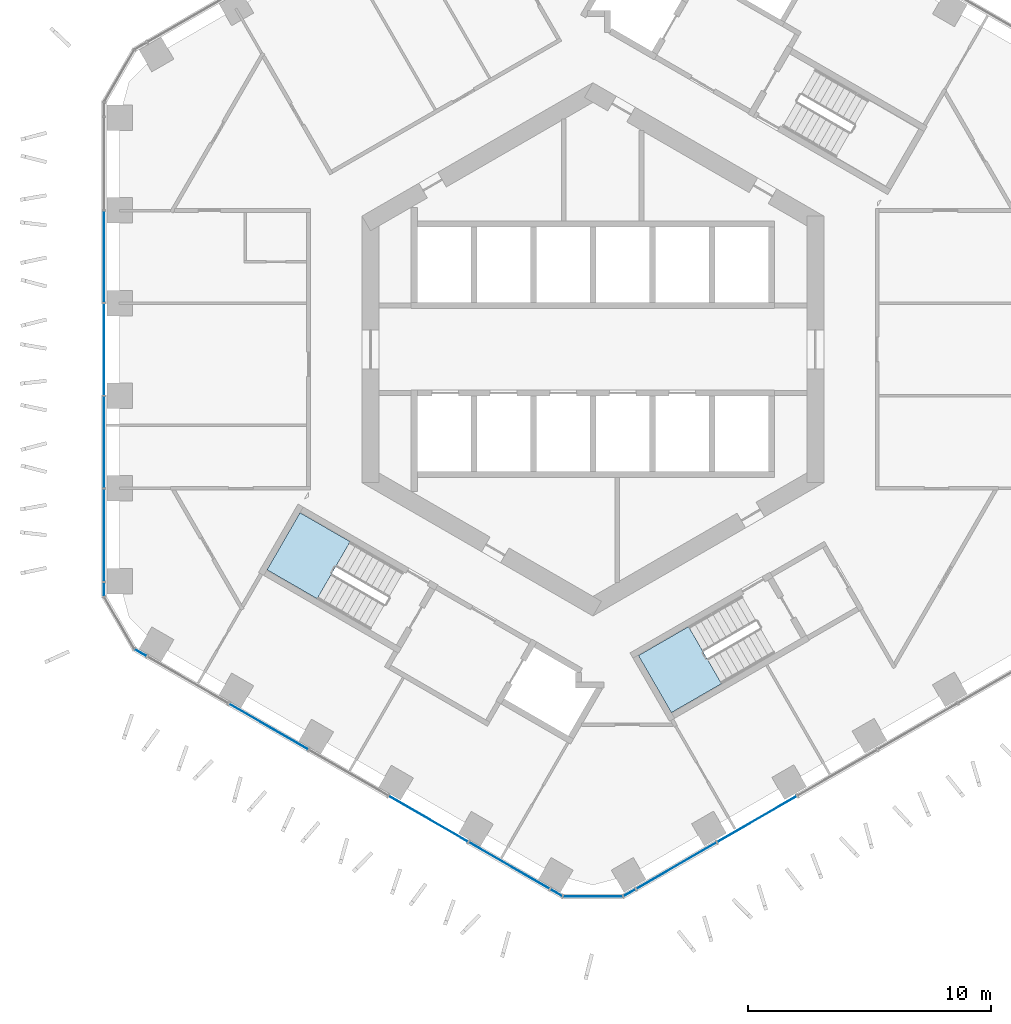
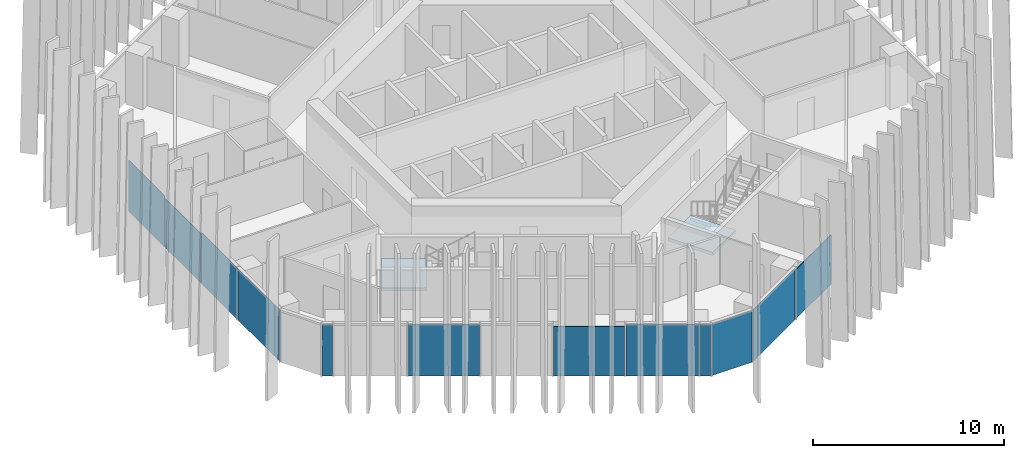
# One storey, part 8 of 18: 14 plates, 2 slabs, 7 elements without a shape of their own.
"""IFC4 building model written with IfcOpenShell, lengths in metres."""

import ifcopenshell
import ifcopenshell.guid

model = None  # the IFC model being written
_history = None  # IfcOwnerHistory: only IFC2X3 demands one
_inside = {}  # id of a spatial element -> (the spatial element, [elements in it])
_under = {}  # id of a project, library or spatial element -> (it, [spatial elements below it])
_declared = {}  # id of a project -> (the project, [libraries it declares])
_typed = {}  # id of a type object -> (the type object, [elements of that type])
_made_of = {}  # id of a material, layer set ... -> (it, [elements and type objects made of it])


def new_model(schema):
    """Start an empty IFC model of exactly this schema.

    Asked for "IFC4X3", IfcOpenShell would pick the latest addendum, in which some entities
    have other attributes; the version numbers below select the first issue.
    IFC2X3 requires an IfcOwnerHistory on every rooted entity: one is made here for all.
    """
    global model, _history
    if schema == "IFC4X3":
        model = ifcopenshell.file(schema_version=(4, 3, 0, 0))
    else:
        model = ifcopenshell.file(schema=schema)
    _inside.clear()
    _under.clear()
    _declared.clear()
    _typed.clear()
    _made_of.clear()
    _history = None
    if model.schema == "IFC2X3":
        org = make("IfcOrganization", Name="unknown")
        user = make(
            "IfcPersonAndOrganization",
            ThePerson=make("IfcPerson", FamilyName="unknown"),
            TheOrganization=org,
        )
        app = make(
            "IfcApplication",
            ApplicationDeveloper=org,
            Version="unknown",
            ApplicationFullName="unknown",
            ApplicationIdentifier="unknown",
        )
        _history = make(
            "IfcOwnerHistory",
            OwningUser=user,
            OwningApplication=app,
            ChangeAction="ADDED",
            CreationDate=0,
        )
    return model


def make(cls, **values):
    """One entity of the class cls with the attributes given. An attribute that is None is left unset."""
    return model.create_entity(
        cls, **{name: value for name, value in values.items() if value is not None}
    )


def rooted(cls, **values):
    """An entity with a GlobalId (a new one), such as an element, a storey or a relation."""
    return make(cls, GlobalId=ifcopenshell.guid.new(), OwnerHistory=_history, **values)


def si_unit(unit_type, name, prefix=None):
    """IfcSIUnit, for example si_unit("LENGTHUNIT", "METRE", prefix="MILLI")."""
    return make("IfcSIUnit", UnitType=unit_type, Prefix=prefix, Name=name)


def assignment(units):
    """IfcUnitAssignment: the units of a project."""
    return None if units is None else make("IfcUnitAssignment", Units=units)


def point(xyz):
    """IfcCartesianPoint."""
    return None if xyz is None else make("IfcCartesianPoint", Coordinates=xyz)


def direction(xyz):
    """IfcDirection."""
    return None if xyz is None else make("IfcDirection", DirectionRatios=xyz)


def frame(location, z_axis=None, x_axis=None):
    """IfcAxis2Placement3D, a coordinate frame: its origin and axes. An axis left out is left unset."""
    return make(
        "IfcAxis2Placement3D",
        Location=point(location),
        Axis=direction(z_axis),
        RefDirection=direction(x_axis),
    )


def frame_2d(location, x_axis=None):
    """IfcAxis2Placement2D, a coordinate frame in the plane: its origin and x axis."""
    return make(
        "IfcAxis2Placement2D", Location=point(location), RefDirection=direction(x_axis)
    )


def origin():
    """The frame at (0, 0, 0) with its axes left unset."""
    return frame((0.0, 0.0, 0.0))


def origin_2d():
    """The frame at (0, 0) in the plane with its x axis left unset."""
    return frame_2d((0.0, 0.0))


def place(relative_to, where):
    """IfcLocalPlacement: puts the frame where relative to a parent placement (None: the world)."""
    return make(
        "IfcLocalPlacement", PlacementRelTo=relative_to, RelativePlacement=where
    )


def context(
    kind, dimensions, precision=None, world=None, true_north=None, identifier=None
):
    """IfcGeometricRepresentationContext, for example the 3D "Model" context."""
    return make(
        "IfcGeometricRepresentationContext",
        ContextIdentifier=identifier,
        ContextType=kind,
        CoordinateSpaceDimension=dimensions,
        Precision=precision,
        WorldCoordinateSystem=world,
        TrueNorth=true_north,
    )


def subcontext(parent, identifier, kind, view, scale=None):
    """IfcGeometricRepresentationSubContext, for example "Body" below "Model"."""
    return make(
        "IfcGeometricRepresentationSubContext",
        ContextIdentifier=identifier,
        ContextType=kind,
        ParentContext=parent,
        TargetScale=scale,
        TargetView=view,
    )


def project(units=None, contexts=None):
    """IfcProject with its units and contexts."""
    return rooted(
        "IfcProject",
        Name="project",
        RepresentationContexts=contexts,
        UnitsInContext=assignment(units),
    )


def spatial(cls, under=None, at=None, **own):
    """A site, building, storey or space (cls), placed at a placement, below another one or the project."""
    s = rooted(cls, ObjectPlacement=at, **own)
    if under is not None:
        _under.setdefault(under.id(), (under, []))[1].append(s)
    return s


def polyline(points):
    """IfcPolyline through the points."""
    return make("IfcPolyline", Points=[point(p) for p in points])


def profile(cls, at=None, kind="AREA", **sizes):
    """A parametric profile (cls). Its sizes go by their IFC names, for example OverallWidth=200.0."""
    return make(cls, ProfileType=kind, Position=at, **sizes)


def rectangle(**sizes):
    """IfcRectangleProfileDef."""
    return profile("IfcRectangleProfileDef", **sizes)


def outline(outer, holes=None, kind="AREA"):
    """IfcArbitraryClosedProfileDef: a profile drawn as a closed curve; with holes, ...WithVoids."""
    if holes is None:
        return make("IfcArbitraryClosedProfileDef", ProfileType=kind, OuterCurve=outer)
    return make(
        "IfcArbitraryProfileDefWithVoids",
        ProfileType=kind,
        OuterCurve=outer,
        InnerCurves=holes,
    )


def extrude(swept, where, along, depth):
    """IfcExtrudedAreaSolid: the profile swept, set in the frame where, extruded along a direction by depth."""
    return make(
        "IfcExtrudedAreaSolid",
        SweptArea=swept,
        Position=where,
        ExtrudedDirection=direction(along),
        Depth=depth,
    )


def shape(context_of_items, identifier, shape_type, items):
    """IfcShapeRepresentation: the items that make up one representation, for example the "Body"."""
    return make(
        "IfcShapeRepresentation",
        ContextOfItems=context_of_items,
        RepresentationIdentifier=identifier,
        RepresentationType=shape_type,
        Items=items,
    )


def material(Name=None, Category=None):
    """IfcMaterial."""
    return make("IfcMaterial", Name=Name, Category=Category)


def layer(
    of_material, thickness, ventilated=None, Name=None, Category=None, Priority=None
):
    """IfcMaterialLayer: one layer of a wall or slab, of a material (None: an air gap)."""
    return make(
        "IfcMaterialLayer",
        Material=of_material,
        LayerThickness=thickness,
        IsVentilated=ventilated,
        Name=Name,
        Category=Category,
        Priority=Priority,
    )


def layer_set(layers, Name=None):
    """IfcMaterialLayerSet."""
    return make("IfcMaterialLayerSet", MaterialLayers=layers, LayerSetName=Name)


def made_of(thing, what):
    """Note that an element or type object is made of a material, layer set ...; save() writes the relation."""
    if what is not None:
        _made_of.setdefault(what.id(), (what, []))[1].append(thing)
    return thing


def type_object(cls, material=None, **own):
    """A type object (cls), such as IfcWallType, which elements share."""
    return made_of(rooted(cls, **own), material)


def element(
    cls,
    number,
    at=None,
    inside=None,
    cuts=None,
    type_object=None,
    material=None,
    context=None,
    identifier="Body",
    shape_type=None,
    held_by="IfcProductDefinitionShape",
    body=None,
    shapes=None,
    **own,
):
    """One element of the class cls, such as IfcWall. Its Tag is "e" and its number.

    at: its placement. inside: the storey or other place that contains it. cuts: it is an
    opening in that element (IfcRelVoidsElement). A single representation is given by context,
    identifier, shape_type and body (its items); several are given by shapes. held_by: the class
    of the entity that holds the representations. save() writes the other relations.
    """
    e = rooted(cls, Tag="e%d" % number, ObjectPlacement=at, **own)
    if body is not None:
        shapes = [shape(context, identifier, shape_type, body)]
    if shapes is not None:
        e.Representation = make(held_by, Representations=shapes)
    if inside is not None:
        _inside.setdefault(inside.id(), (inside, []))[1].append(e)
    if cuts is not None:
        rooted(
            "IfcRelVoidsElement", RelatingBuildingElement=cuts, RelatedOpeningElement=e
        )
    if type_object is not None:
        _typed.setdefault(type_object.id(), (type_object, []))[1].append(e)
    return made_of(e, material)


def aggregate(whole, parts):
    """IfcRelAggregates: a whole, such as a stair, and the parts it consists of."""
    return rooted("IfcRelAggregates", RelatingObject=whole, RelatedObjects=parts)


def save(model, path):
    """Write the relations noted so far, then the file.

    IfcRelAggregates (storeys below a building ...), IfcRelContainedInSpatialStructure (elements
    in a storey), IfcRelDefinesByType, IfcRelAssociatesMaterial and IfcRelDeclares: one each for
    every whole, place, type object, material and project.
    """
    for whole, parts in _under.values():
        aggregate(whole, parts)
    for where, things in _inside.values():
        rooted(
            "IfcRelContainedInSpatialStructure",
            RelatedElements=things,
            RelatingStructure=where,
        )
    for kind, things in _typed.values():
        rooted("IfcRelDefinesByType", RelatedObjects=things, RelatingType=kind)
    for what, things in _made_of.values():
        rooted("IfcRelAssociatesMaterial", RelatedObjects=things, RelatingMaterial=what)
    for by, libraries in _declared.values():
        rooted("IfcRelDeclares", RelatingContext=by, RelatedDefinitions=libraries)
    model.write(path)


model = new_model("IFC4")

# Units and contexts
model_context = context("Model", 3, precision=1e-05, world=origin(), true_north=direction((0.0, 1.0)))
body_context = subcontext(model_context, "Body", "Model", "MODEL_VIEW")
ifc_project = project(units=[si_unit("LENGTHUNIT", "METRE"), si_unit("AREAUNIT", "SQUARE_METRE"), si_unit("VOLUMEUNIT", "CUBIC_METRE"), si_unit("PLANEANGLEUNIT", "RADIAN"), si_unit("MASSUNIT", "GRAM", prefix="KILO")], contexts=[model_context])

# Site, building, storey
site_placement = place(None, origin())
site = spatial("IfcSite", under=ifc_project, at=site_placement, CompositionType="ELEMENT")
building_placement = place(site_placement, origin())
building = spatial("IfcBuilding", under=site, at=building_placement, Name="Ayvan Gate Tower", CompositionType="ELEMENT")
storey_placement = place(building_placement, frame((0.0, 0.0, 83.10009765625)))
storey = spatial("IfcBuildingStorey", under=building, at=storey_placement, Name="L21", CompositionType="ELEMENT", Elevation=83.10009765625)

# Stair, slab
ifc_material_1 = material(Name="Concrete C40/50", Category="concrete")
stair_type = type_object("IfcStairType", Name="ST-EXIT", PredefinedType="HALF_TURN_STAIR", material=ifc_material_1)
stair_1_placement = place(storey_placement, origin())
stair_1 = element("IfcStair", 1, at=stair_1_placement, inside=storey, type_object=stair_type, Name="L21 Exit Stair S2", PredefinedType="HALF_TURN_STAIR")
ifc_layer_1 = layer(ifc_material_1, 0.199951171875)
ifc_layer_set_1 = layer_set([ifc_layer_1], Name="Concrete C40/50")
slab_type = type_object("IfcSlabType", Name="SL-LANDING-200", PredefinedType="LANDING", material=ifc_layer_set_1)
slab_1_placement = place(storey_placement, frame((0.0, 0.0, 1.5)))
slab_1 = element("IfcSlab", 2, at=slab_1_placement, type_object=slab_type, Name="STS2 landing 1", PredefinedType="LANDING", context=body_context, shape_type="SweptSolid", body=[
    extrude(outline(polyline([(-9.988525390625, -7.91064453125), (-12.049560546875, -6.720458984375), (-13.404541015625, -9.0673828125), (-11.343505859375, -10.257568359375), (-9.988525390625, -7.91064453125)])), origin(), (0.0, 0.0, 1.0), 0.199951171875),
])
aggregate(stair_1, [slab_1])

stair_2_placement = place(storey_placement, origin())
stair_2 = element("IfcStair", 3, at=stair_2_placement, inside=storey, type_object=stair_type, Name="L21 Exit Stair S3", PredefinedType="HALF_TURN_STAIR")
slab_2_placement = place(storey_placement, frame((0.0, 0.0, 1.5)))
slab_2 = element("IfcSlab", 4, at=slab_2_placement, type_object=slab_type, Name="STS3 landing 1", PredefinedType="LANDING", context=body_context, shape_type="SweptSolid", body=[
    extrude(outline(polyline([(3.93505859375, -11.405517578125), (1.873779296875, -12.595458984375), (3.228759765625, -14.9423828125), (5.2900390625, -13.75244140625), (3.93505859375, -11.405517578125)])), origin(), (0.0, 0.0, 1.0), 0.199951171875),
])
aggregate(stair_2, [slab_2])

# Curtain wall, plates
ifc_material_2 = material(Name="Bronze anodised aluminium", Category="aluminium")
ifc_layer_2 = layer(ifc_material_2, 0.199951171875)
ifc_layer_set_2 = layer_set([ifc_layer_2], Name="Bronze anodised aluminium")
curtain_wall_type_1 = type_object("IfcCurtainWallType", Name="Stick curtain wall CW-1", PredefinedType="NOTDEFINED", material=ifc_layer_set_2)
curtain_wall_1_placement = place(storey_placement, origin())
curtain_wall_1 = element("IfcCurtainWall", 5, at=curtain_wall_1_placement, inside=storey, type_object=curtain_wall_type_1, Name="Stick curtain wall CW-1 L21", PredefinedType="NOTDEFINED")
ifc_material_3 = material(Name="Clear low-iron laminated glass", Category="glass")
ifc_layer_3 = layer(ifc_material_3, 0.028076171875)
ifc_layer_set_3 = layer_set([ifc_layer_3], Name="Clear low-iron laminated glass")
plate_type_1 = type_object("IfcPlateType", Name="Stick curtain wall CW-1 glass panel", PredefinedType="CURTAIN_PANEL", material=ifc_layer_set_3)
plate_1_placement = place(storey_placement, frame((-20.110595703125, 3.814208984375, 0.0), z_axis=(0.0, 0.0, 1.0), x_axis=(0.0, -1.0, 0.0)))
plate_1 = element("IfcPlate", 6, at=plate_1_placement, type_object=plate_type_1, Name="CW-1 glass panel 2", PredefinedType="CURTAIN_PANEL", context=body_context, shape_type="SweptSolid", body=[
    extrude(rectangle(XDim=3.75390625, YDim=0.028076171875, at=origin_2d()), origin(), (0.0, 0.0, 1.0), 3.280029296875),
])
plate_2_placement = place(storey_placement, frame((-20.110595703125, 0.000244140625, 0.0), z_axis=(0.0, 0.0, 1.0), x_axis=(0.0, -1.0, 0.0)))
plate_2 = element("IfcPlate", 7, at=plate_2_placement, type_object=plate_type_1, Name="CW-1 glass panel 3", PredefinedType="CURTAIN_PANEL", context=body_context, shape_type="SweptSolid", body=[
    extrude(rectangle(XDim=3.75390625, YDim=0.028076171875, at=origin_2d()), origin(), (0.0, 0.0, 1.0), 3.14990234375),
])
plate_3_placement = place(storey_placement, frame((-20.110595703125, -3.813720703125, 0.0), z_axis=(0.0, 0.0, 1.0), x_axis=(0.0, -1.0, 0.0)))
plate_3 = element("IfcPlate", 8, at=plate_3_placement, type_object=plate_type_1, Name="CW-1 glass panel 4", PredefinedType="CURTAIN_PANEL", context=body_context, shape_type="SweptSolid", body=[
    extrude(rectangle(XDim=3.75390625, YDim=0.028076171875, at=origin_2d()), origin(), (0.0, 0.0, 1.0), 3.280029296875),
])
plate_4_placement = place(storey_placement, frame((-20.110595703125, -7.660400390625, 0.0), z_axis=(0.0, 0.0, 1.0), x_axis=(0.0, -1.0, 0.0)))
plate_4 = element("IfcPlate", 9, at=plate_4_placement, type_object=plate_type_1, Name="CW-1 glass panel 5", PredefinedType="CURTAIN_PANEL", context=body_context, shape_type="SweptSolid", body=[
    extrude(rectangle(XDim=3.819580078125, YDim=0.028076171875, at=origin_2d()), origin(), (0.0, 0.0, 1.0), 3.280029296875),
])
aggregate(curtain_wall_1, [plate_1, plate_2, plate_3, plate_4])

curtain_wall_2_placement = place(storey_placement, origin())
curtain_wall_2 = element("IfcCurtainWall", 10, at=curtain_wall_2_placement, inside=storey, type_object=curtain_wall_type_1, Name="Stick curtain wall CW-1 L21", PredefinedType="NOTDEFINED")
plate_5_placement = place(storey_placement, frame((-13.3408203125, -15.519287109375, 0.0), z_axis=(0.0, 0.0, 1.0), x_axis=(0.866025403784, -0.5, 0.0)))
plate_5 = element("IfcPlate", 11, at=plate_5_placement, type_object=plate_type_1, Name="CW-1 glass panel 2", PredefinedType="CURTAIN_PANEL", context=body_context, shape_type="SweptSolid", body=[
    extrude(rectangle(XDim=3.73291015625, YDim=0.028076171875, at=origin_2d()), origin(), (0.0, 0.0, 1.0), 3.280029296875),
])
plate_6_placement = place(storey_placement, frame((-6.770263671875, -19.31298828125, 0.0), z_axis=(0.0, 0.0, 1.0), x_axis=(0.866025403784, -0.5, 0.0)))
plate_6 = element("IfcPlate", 12, at=plate_6_placement, type_object=plate_type_1, Name="CW-1 glass panel 4", PredefinedType="CURTAIN_PANEL", context=body_context, shape_type="SweptSolid", body=[
    extrude(rectangle(XDim=3.73291015625, YDim=0.028076171875, at=origin_2d()), origin(), (0.0, 0.0, 1.0), 3.14990234375),
])
plate_7_placement = place(storey_placement, frame((-3.4345703125, -21.23876953125, 0.0), z_axis=(0.0, 0.0, 1.0), x_axis=(0.866025403784, -0.5, 0.0)))
plate_7 = element("IfcPlate", 13, at=plate_7_placement, type_object=plate_type_1, Name="CW-1 glass panel 5", PredefinedType="CURTAIN_PANEL", context=body_context, shape_type="SweptSolid", body=[
    extrude(rectangle(XDim=3.8505859375, YDim=0.028076171875, at=origin_2d()), origin(), (0.0, 0.0, 1.0), 3.280029296875),
])
aggregate(curtain_wall_2, [plate_5, plate_6, plate_7])

curtain_wall_3_placement = place(storey_placement, origin())
curtain_wall_3 = element("IfcCurtainWall", 14, at=curtain_wall_3_placement, inside=storey, type_object=curtain_wall_type_1, Name="Stick curtain wall CW-1 L21", PredefinedType="NOTDEFINED")
plate_8_placement = place(storey_placement, frame((3.4208984375, -21.24658203125, 0.0), z_axis=(0.0, 0.0, 1.0), x_axis=(0.866025403784, 0.5, 0.0)))
plate_8 = element("IfcPlate", 15, at=plate_8_placement, type_object=plate_type_1, Name="CW-1 glass panel 1", PredefinedType="CURTAIN_PANEL", context=body_context, shape_type="SweptSolid", body=[
    extrude(rectangle(XDim=3.819091796875, YDim=0.028076171875, at=origin_2d()), origin(), (0.0, 0.0, 1.0), 3.280029296875),
])
plate_9_placement = place(storey_placement, frame((6.751953125, -19.323486328125, 0.0), z_axis=(0.0, 0.0, 1.0), x_axis=(0.866025403784, 0.5, 0.0)))
plate_9 = element("IfcPlate", 16, at=plate_9_placement, type_object=plate_type_1, Name="CW-1 glass panel 2", PredefinedType="CURTAIN_PANEL", context=body_context, shape_type="SweptSolid", body=[
    extrude(rectangle(XDim=3.75390625, YDim=0.028076171875, at=origin_2d()), origin(), (0.0, 0.0, 1.0), 3.14990234375),
])
aggregate(curtain_wall_3, [plate_8, plate_9])

ifc_layer_4 = layer(ifc_material_2, 0.199951171875)
ifc_layer_set_4 = layer_set([ifc_layer_4], Name="Bronze anodised aluminium")
curtain_wall_type_2 = type_object("IfcCurtainWallType", Name="Stick curtain wall CW-6", PredefinedType="NOTDEFINED", material=ifc_layer_set_4)
curtain_wall_4_placement = place(storey_placement, origin())
curtain_wall_4 = element("IfcCurtainWall", 17, at=curtain_wall_4_placement, inside=storey, type_object=curtain_wall_type_2, Name="Stick curtain wall CW-6 L21", PredefinedType="NOTDEFINED")
ifc_layer_5 = layer(ifc_material_3, 0.028076171875)
ifc_layer_set_5 = layer_set([ifc_layer_5], Name="Clear low-iron laminated glass")
plate_type_2 = type_object("IfcPlateType", Name="Stick curtain wall CW-6 glass panel", PredefinedType="CURTAIN_PANEL", material=ifc_layer_set_5)
plate_10_placement = place(storey_placement, frame((-20.110595703125, -9.875244140625, 0.0), z_axis=(0.0, 0.0, 1.0), x_axis=(0.0, -1.0, 0.0)))
plate_10 = element("IfcPlate", 18, at=plate_10_placement, type_object=plate_type_2, Name="CW-6 glass panel 1", PredefinedType="CURTAIN_PANEL", context=body_context, shape_type="SweptSolid", body=[
    extrude(rectangle(XDim=0.550048828125, YDim=0.028076171875, at=origin_2d()), origin(), (0.0, 0.0, 1.0), 3.280029296875),
])
plate_11_placement = place(storey_placement, frame((-18.607421875, -12.478759765625, 0.0), z_axis=(0.0, 0.0, 1.0), x_axis=(0.866025403784, -0.5, 0.0)))
plate_11 = element("IfcPlate", 19, at=plate_11_placement, type_object=plate_type_2, Name="CW-6 glass panel 3", PredefinedType="CURTAIN_PANEL", context=body_context, shape_type="SweptSolid", body=[
    extrude(rectangle(XDim=0.550048828125, YDim=0.028076171875, at=origin_2d()), origin(), (0.0, 0.0, 1.0), 3.280029296875),
])
aggregate(curtain_wall_4, [plate_10, plate_11])

curtain_wall_5_placement = place(storey_placement, origin())
curtain_wall_5 = element("IfcCurtainWall", 20, at=curtain_wall_5_placement, inside=storey, type_object=curtain_wall_type_2, Name="Stick curtain wall CW-6 L21", PredefinedType="NOTDEFINED")
plate_12_placement = place(storey_placement, frame((-1.503173828125, -22.35400390625, 0.0), z_axis=(0.0, 0.0, 1.0), x_axis=(0.866025403784, -0.5, 0.0)))
plate_12 = element("IfcPlate", 21, at=plate_12_placement, type_object=plate_type_2, Name="CW-6 glass panel 1", PredefinedType="CURTAIN_PANEL", context=body_context, shape_type="SweptSolid", body=[
    extrude(rectangle(XDim=0.550048828125, YDim=0.028076171875, at=origin_2d()), origin(), (0.0, 0.0, 1.0), 3.280029296875),
])
plate_13_placement = place(storey_placement, frame((0.0, -22.50390625, 0.0), z_axis=(0.0, 0.0, 1.0), x_axis=(1.0, 0.0, 0.0)))
plate_13 = element("IfcPlate", 22, at=plate_13_placement, type_object=plate_type_2, Name="CW-6 glass panel 2", PredefinedType="CURTAIN_PANEL", context=body_context, shape_type="SweptSolid", body=[
    extrude(rectangle(XDim=2.4365234375, YDim=0.028076171875, at=origin_2d()), origin(), (0.0, 0.0, 1.0), 3.280029296875),
])
plate_14_placement = place(storey_placement, frame((1.503173828125, -22.35400390625, 0.0), z_axis=(0.0, 0.0, 1.0), x_axis=(0.866025403784, 0.5, 0.0)))
plate_14 = element("IfcPlate", 23, at=plate_14_placement, type_object=plate_type_2, Name="CW-6 glass panel 3", PredefinedType="CURTAIN_PANEL", context=body_context, shape_type="SweptSolid", body=[
    extrude(rectangle(XDim=0.550048828125, YDim=0.028076171875, at=origin_2d()), origin(), (0.0, 0.0, 1.0), 3.280029296875),
])
aggregate(curtain_wall_5, [plate_12, plate_13, plate_14])

save(model, "model.ifc")
